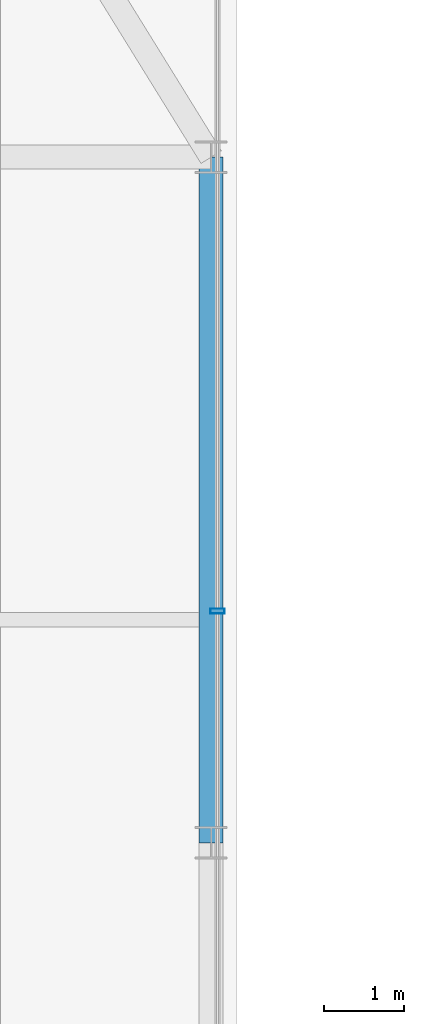
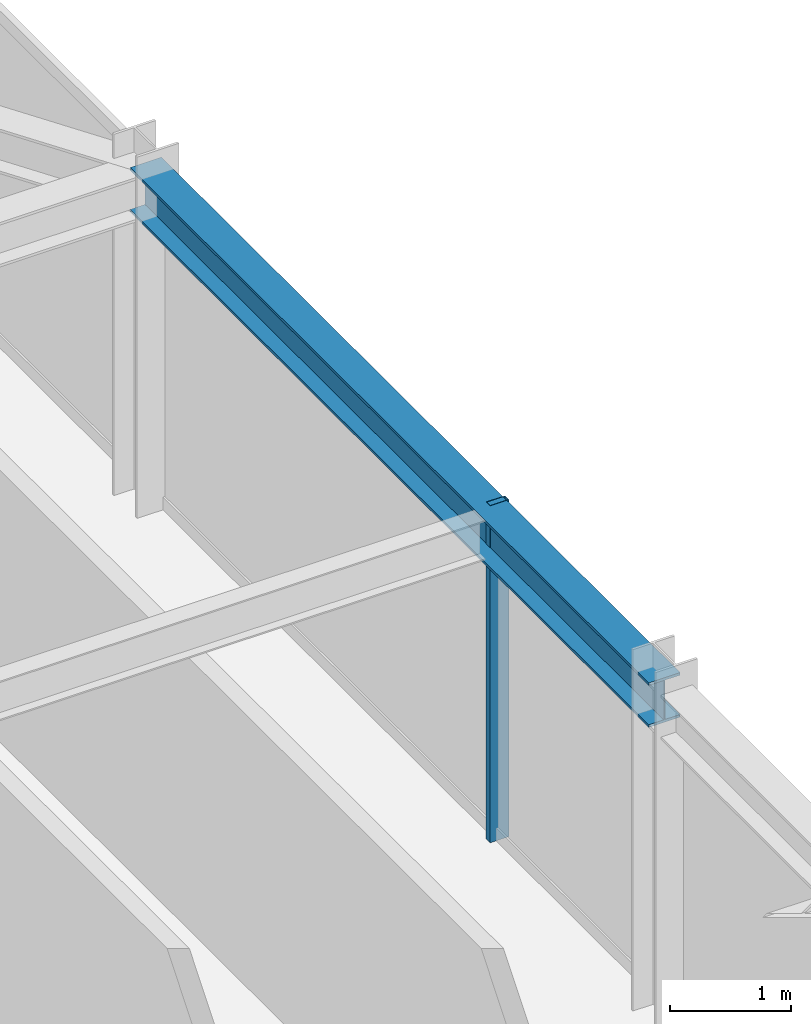
# One storey, part 25 of 36: 1 beam, 1 member, 1 element without a shape of its own.
"""IFC4 building model written with IfcOpenShell, lengths in metres."""

from ifc_helpers import new_model, si_unit, direction, frame, origin, origin_2d, place, context, subcontext, project, spatial, hollow_rectangle, i_section, extrude, source, transform, mapped, material, material_profile, profile_set, type_object, element, aggregate, save


model = new_model("IFC4")

# Units and contexts
model_context = context("Model", 3, precision=1e-05, world=origin(), true_north=direction((0.0, 1.0)))
body_context = subcontext(model_context, "Body", "Model", "MODEL_VIEW")
ifc_project = project(units=[si_unit("LENGTHUNIT", "METRE"), si_unit("AREAUNIT", "SQUARE_METRE"), si_unit("VOLUMEUNIT", "CUBIC_METRE"), si_unit("PLANEANGLEUNIT", "RADIAN"), si_unit("MASSUNIT", "GRAM", prefix="KILO")], contexts=[model_context])

# Site, building, storey
site_placement = place(None, origin())
site = spatial("IfcSite", under=ifc_project, at=site_placement, CompositionType="ELEMENT")
building_placement = place(site_placement, origin())
building = spatial("IfcBuilding", under=site, at=building_placement, Name="Nahalor Promenade Grand Hotel", CompositionType="ELEMENT")
storey_placement = place(building_placement, frame((0.0, 0.0, 219.699951171875)))
storey = spatial("IfcBuildingStorey", under=building, at=storey_placement, Name="L56", CompositionType="ELEMENT", Elevation=219.699951171875)

# Beam
ifc_material_1 = material(Name="Steel S355JR", Category="steel")
ifc_material_profile_1 = material_profile(ifc_material_1, i_section(OverallWidth=0.3, OverallDepth=0.45, WebThickness=0.014, FlangeThickness=0.026, at=origin_2d()), Name="HEB 450")
ifc_profile_set_1 = profile_set([ifc_material_profile_1], Name="Steel S355JR")
beam_type = type_object("IfcBeamType", Name="Beam-Spandrel-HEB450", PredefinedType="SPANDREL", material=ifc_profile_set_1)
shared_shape_1 = source(origin(), body_context, "Body", "SweptSolid", [
    extrude(i_section(OverallWidth=0.3, OverallDepth=0.45, WebThickness=0.014, FlangeThickness=0.026, at=origin_2d()), origin(), (0.0, 0.0, 1.0), 8.60009765625),
])
beam_placement = place(storey_placement, frame((23.8798828125, 8.39990234375, 3.18505859375), z_axis=(0.0, 1.0, 0.0), x_axis=(-1.0, 0.0, 0.0)))
element("IfcBeam", 1, at=beam_placement, inside=storey, type_object=beam_type, Name="BM-L56-SP-E-4", PredefinedType="SPANDREL", context=body_context, shape_type="MappedRepresentation", body=[
    mapped(shared_shape_1, transform((0.0, 0.0, 0.0), scale=1.0)),
])

# Curtain wall, member
ifc_material_2 = material(Name="Anodised Bronze Aluminium EN AW-6063 T6", Category="aluminium")
curtain_wall_type = type_object("IfcCurtainWallType", Name="CW2 Typical Hotel Flush Bronze Unitised Curtain Wall", PredefinedType="USERDEFINED", material=ifc_material_2)
curtain_wall_placement = place(storey_placement, origin())
curtain_wall = element("IfcCurtainWall", 2, at=curtain_wall_placement, inside=storey, type_object=curtain_wall_type, Name="L56 Curtain Wall CW-L56-E-3", ObjectType="UNITISED_CURTAIN_WALL", PredefinedType="USERDEFINED")
ifc_material_profile_2 = material_profile(ifc_material_2, hollow_rectangle(XDim=0.065, YDim=0.18, WallThickness=0.004, at=origin_2d()), Name="CWM 65x180x4")
ifc_profile_set_2 = profile_set([ifc_material_profile_2], Name="Anodised Bronze Aluminium EN AW-6063 T6")
member_type = type_object("IfcMemberType", Name="CWM2 Typical Bronze Mullion 65x180", PredefinedType="MULLION", material=ifc_profile_set_2)
shared_shape_2 = source(origin(), body_context, "Body", "SweptSolid", [
    extrude(hollow_rectangle(XDim=0.065, YDim=0.18, WallThickness=0.004, at=origin_2d()), origin(), (0.0, 0.0, 1.0), 3.41015625),
])
member_placement = place(storey_placement, frame((23.9599609375, 11.306640625, 0.0), z_axis=(0.0, 0.0, 1.0), x_axis=(0.0, 1.0, 0.0)))
member = element("IfcMember", 3, at=member_placement, type_object=member_type, Name="CW-L56-E-3 Mullion 2", PredefinedType="MULLION", context=body_context, shape_type="MappedRepresentation", body=[
    mapped(shared_shape_2, transform((0.0, 0.0, 0.0), scale=1.0)),
])
aggregate(curtain_wall, [member])

save(model, "model.ifc")
